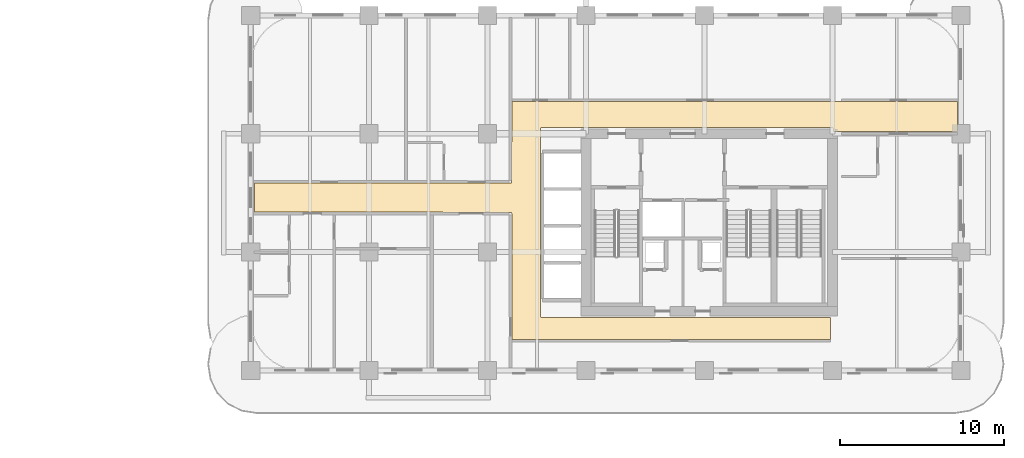
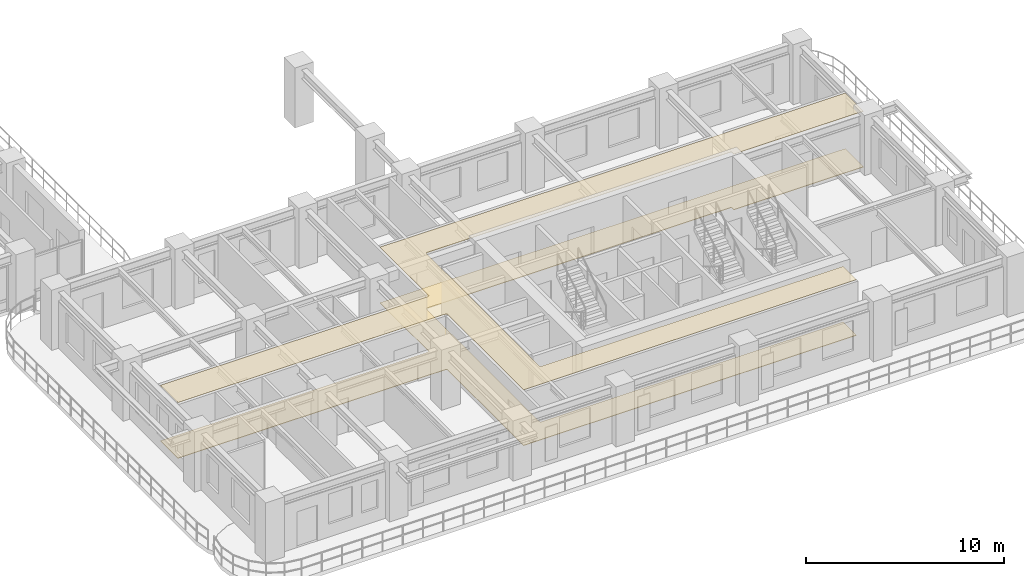
# One storey, part 16 of 19: 2 coverings.
"""IFC4 building model written with IfcOpenShell, lengths in metres."""

from ifc_helpers import new_model, si_unit, derived_unit, direction, frame, origin, place, context, subcontext, project, spatial, polyline, outline, extrude, material, layer, layer_set, type_object, element, save


model = new_model("IFC4")

# Units and contexts
model_context = context("Model", 3, precision=1e-05, world=origin(), true_north=direction((0.0, 1.0)))
body_context = subcontext(model_context, "Body", "Model", "MODEL_VIEW")
ifc_project = project(units=[si_unit("LENGTHUNIT", "METRE"), si_unit("AREAUNIT", "SQUARE_METRE"), si_unit("VOLUMEUNIT", "CUBIC_METRE"), si_unit("PLANEANGLEUNIT", "RADIAN"), si_unit("MASSUNIT", "GRAM", prefix="KILO"), si_unit("THERMODYNAMICTEMPERATUREUNIT", "KELVIN"), si_unit("POWERUNIT", "WATT"), derived_unit("THERMALTRANSMITTANCEUNIT", [(si_unit("POWERUNIT", "WATT"), 1), (si_unit("AREAUNIT", "SQUARE_METRE"), -1), (si_unit("THERMODYNAMICTEMPERATUREUNIT", "KELVIN"), -1)])], contexts=[model_context])

# Site, building, storey
site_placement = place(None, origin())
site = spatial("IfcSite", under=ifc_project, at=site_placement, CompositionType="ELEMENT")
building_placement = place(site_placement, origin())
building = spatial("IfcBuilding", under=site, at=building_placement, Name="Zahravan Archway Hotel and Residences", CompositionType="ELEMENT")
storey_placement = place(building_placement, frame((0.0, 0.0, 62.0)))
storey = spatial("IfcBuildingStorey", under=building, at=storey_placement, Name="L14", CompositionType="ELEMENT", Elevation=62.0)

# Coverings
ifc_material_1 = material(Name="Perforated Acoustic Gypsum Ceiling")
ifc_layer_1 = layer(ifc_material_1, 0.02490234375, Name="Perforated Acoustic Gypsum Ceiling")
ifc_layer_set_1 = layer_set([ifc_layer_1], Name="Perforated Acoustic Gypsum Ceiling")
covering_type_1 = type_object("IfcCoveringType", Name="COV-CEIL-ACST", PredefinedType="CEILING", material=ifc_layer_set_1)
covering_1_placement = place(storey_placement, frame((0.0, 0.0, 3.425048828125)))
element("IfcCovering", 1, at=covering_1_placement, inside=storey, type_object=covering_type_1, Name="L14 Acoustic Corridor Ceiling", PredefinedType="CEILING", context=body_context, shape_type="SweptSolid", body=[
    extrude(outline(polyline([(57.3798828125, 14.530029296875), (49.830078125, 14.530029296875), (49.830078125, 14.699951171875), (49.81640625, 14.744384765625), (49.780517578125, 14.77392578125), (32.10009765625, 14.780029296875), (32.0556640625, 14.7666015625), (32.026123046875, 14.730712890625), (32.02001953125, 3.300048828125), (32.033447265625, 3.255615234375), (32.0693359375, 3.22607421875), (49.669921875, 3.219970703125), (49.669921875, 1.8798828125), (30.280029296875, 1.8798828125), (30.280029296875, 9.550048828125), (30.2666015625, 9.594482421875), (30.230712890625, 9.623779296875), (14.6201171875, 9.6298828125), (14.6201171875, 11.389892578125), (30.199951171875, 11.389892578125), (30.244384765625, 11.403564453125), (30.27392578125, 11.439453125), (30.280029296875, 16.3701171875), (57.3798828125, 16.3701171875), (57.3798828125, 14.530029296875)])), origin(), (0.0, 0.0, 1.0), 0.02490234375),
])
ifc_material_2 = material(Name="Honed Margalla Limestone & Mortar Bed", Category="masonry")
ifc_layer_2 = layer(ifc_material_2, 0.030029296875, Name="Honed Margalla Limestone & Mortar Bed", Category="masonry")
ifc_layer_set_2 = layer_set([ifc_layer_2], Name="Honed Margalla Limestone & Mortar Bed")
covering_type_2 = type_object("IfcCoveringType", Name="COV-FLR-STONE", PredefinedType="FLOORING", material=ifc_layer_set_2)
covering_2_placement = place(storey_placement, origin())
element("IfcCovering", 2, at=covering_2_placement, inside=storey, type_object=covering_type_2, Name="L14 Circulation Floor Finish", PredefinedType="FLOORING", context=body_context, shape_type="SweptSolid", body=[
    extrude(outline(polyline([(57.3798828125, 14.530029296875), (49.830078125, 14.530029296875), (49.830078125, 14.699951171875), (49.81640625, 14.744384765625), (49.780517578125, 14.77392578125), (32.10009765625, 14.780029296875), (32.0556640625, 14.7666015625), (32.026123046875, 14.730712890625), (32.02001953125, 3.300048828125), (32.033447265625, 3.255615234375), (32.0693359375, 3.22607421875), (49.669921875, 3.219970703125), (49.669921875, 1.8798828125), (30.280029296875, 1.8798828125), (30.280029296875, 9.550048828125), (30.2666015625, 9.594482421875), (30.230712890625, 9.623779296875), (14.6201171875, 9.6298828125), (14.6201171875, 11.389892578125), (30.199951171875, 11.389892578125), (30.244384765625, 11.403564453125), (30.27392578125, 11.439453125), (30.280029296875, 16.3701171875), (57.3798828125, 16.3701171875), (57.3798828125, 14.530029296875)])), origin(), (0.0, 0.0, 1.0), 0.030029296875),
])

save(model, "model.ifc")
